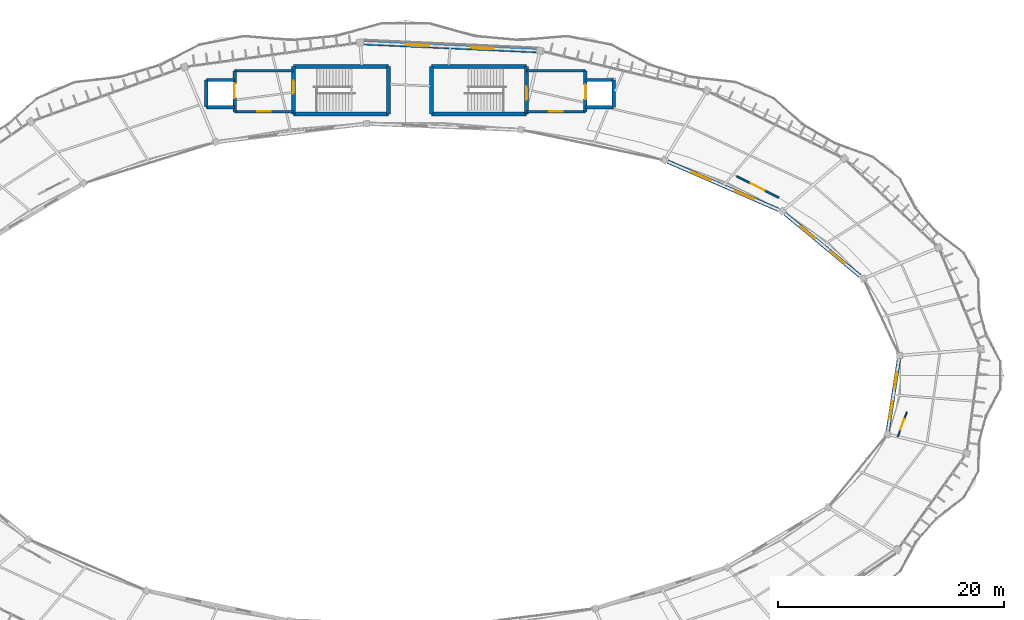
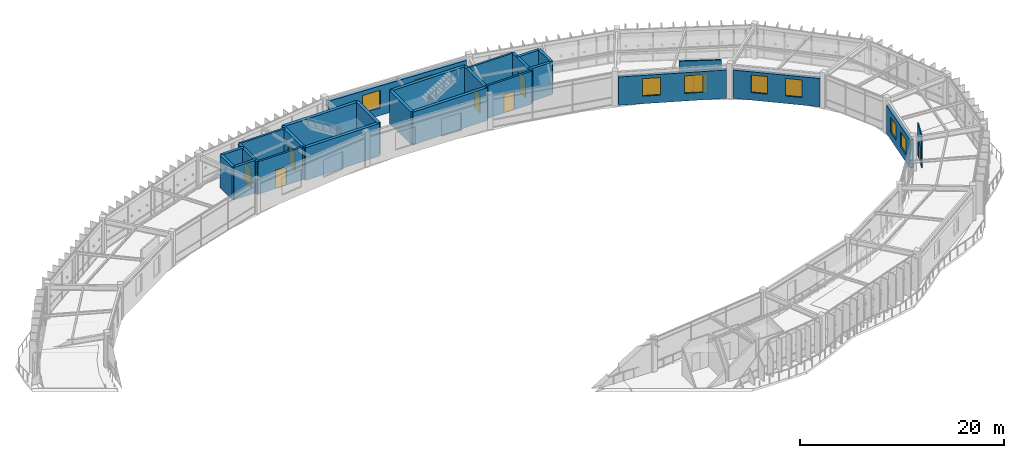
# One storey, part 71 of 83: 26 walls, 8 doors, 8 windows, 16 openings.
"""IFC4 building model written with IfcOpenShell, lengths in metres."""

from ifc_helpers import new_model, si_unit, direction, frame, frame_2d, origin, place, context, subcontext, project, spatial, rectangle, extrude, material, layer, layer_set, type_object, element, fill, save


model = new_model("IFC4")

# Units and contexts
model_context = context("Model", 3, precision=1e-05, world=origin(), true_north=direction((0.0, 1.0)))
body_context = subcontext(model_context, "Body", "Model", "MODEL_VIEW")
ifc_project = project(units=[si_unit("LENGTHUNIT", "METRE"), si_unit("AREAUNIT", "SQUARE_METRE"), si_unit("VOLUMEUNIT", "CUBIC_METRE"), si_unit("PLANEANGLEUNIT", "RADIAN"), si_unit("MASSUNIT", "GRAM", prefix="KILO"), si_unit("THERMODYNAMICTEMPERATUREUNIT", "KELVIN"), si_unit("POWERUNIT", "WATT")], contexts=[model_context])

# Site, building, storey
site_placement = place(None, origin())
site = spatial("IfcSite", under=ifc_project, at=site_placement, CompositionType="ELEMENT")
building_placement = place(site_placement, origin())
building = spatial("IfcBuilding", under=site, at=building_placement, Name="Darbajah Civic Hall", CompositionType="ELEMENT")
storey_placement = place(building_placement, frame((0.0, 0.0, 18.0)))
storey = spatial("IfcBuildingStorey", under=building, at=storey_placement, Name="L04", CompositionType="ELEMENT", Elevation=18.0)

# Wall, opening, door
ifc_material_1 = material(Name="Concrete C45/55", Category="concrete")
ifc_layer_1 = layer(ifc_material_1, 0.300048828125, Name="Concrete C45/55")
ifc_layer_set_1 = layer_set([ifc_layer_1], Name="Concrete C45/55")
wall_type_1 = type_object("IfcWallType", Name="Core Shear Wall 300mm", PredefinedType="SHEAR", material=ifc_layer_set_1)
wall_1_placement = place(storey_placement, frame((74.0, 116.699951171875, 0.0), z_axis=(0.0, 0.0, 1.0), x_axis=(0.0, -1.0, 0.0)))
wall_1 = element("IfcWall", 1, at=wall_1_placement, inside=storey, type_object=wall_type_1, Name="L04 firefighting lobby C01 wall W", PredefinedType="SHEAR", context=body_context, shape_type="SweptSolid", body=[
    extrude(rectangle(XDim=3.599853515625, YDim=0.300048828125, at=frame_2d((1.7998046875, 0.0))), origin(), (0.0, 0.0, 1.0), 3.919921875),
])
opening_1_placement = place(wall_1_placement, frame((1.10009765625, 0.0, 0.0)))
opening_1 = element("IfcOpeningElement", 2, at=opening_1_placement, cuts=wall_1, Name="Opening LD-0019", PredefinedType="OPENING", context=body_context, shape_type="SweptSolid", body=[
    extrude(rectangle(XDim=1.300048828125, YDim=2.300048828125, at=frame_2d((0.64990234375, 1.14990234375))), frame((0.0, 0.159912109375, 0.0), z_axis=(0.0, -1.0, 0.0), x_axis=(1.0, 0.0, 0.0)), (0.0, 0.0, 1.0), 0.320068359375),
])
ifc_material_2 = material(Name="Firefighting Lift Landing Door")
door_type_1 = type_object("IfcDoorType", Name="Lift Landing Door 1300x2300", OperationType="SLIDING_TO_LEFT", PredefinedType="DOOR", material=ifc_material_2)
door_1_placement = place(opening_1_placement, origin())
door_1 = element("IfcDoor", 3, at=door_1_placement, inside=storey, type_object=door_type_1, Name="L04 firefighting lift FL1 landing door LD-0019", OperationType="SLIDING_TO_LEFT", OverallHeight=2.300048828125, OverallWidth=1.300048828125, PredefinedType="DOOR", context=body_context, shape_type="SweptSolid", body=[
    extrude(rectangle(XDim=1.300048828125, YDim=2.300048828125, at=frame_2d((0.64990234375, 1.14990234375))), frame((0.0, 0.02490234375, 0.0), z_axis=(0.0, -1.0, 0.0), x_axis=(1.0, 0.0, 0.0)), (0.0, 0.0, 1.0), 0.050048828125),
])
fill(opening_1, door_1)

# Walls
for number, where, z_axis, x_axis, name in (
    (4, (74.0, 115.89990234375, 0.0), (0.0, 0.0, 1.0), (-1.0, 0.0, 0.0), "L04 lift FL1 shaft wall N"),
    (5, (71.5, 113.5, 0.0), (0.0, 0.0, 1.0), (1.0, 0.0, 0.0), "L04 lift FL1 shaft wall S"),
):
    element("IfcWall", number, at=place(storey_placement, frame(where, z_axis=z_axis, x_axis=x_axis)), inside=storey, type_object=wall_type_1, Name=name, PredefinedType="SHEAR", context=body_context, shape_type="SweptSolid", body=[
        extrude(rectangle(XDim=2.5, YDim=0.300048828125, at=frame_2d((1.25, 0.0))), origin(), (0.0, 0.0, 1.0), 3.919921875),
    ])
wall_2_placement = place(storey_placement, frame((71.5, 115.89990234375, 0.0), z_axis=(0.0, 0.0, 1.0), x_axis=(0.0, -1.0, 0.0)))
element("IfcWall", 6, at=wall_2_placement, inside=storey, type_object=wall_type_1, Name="L04 lift FL1 shaft wall OUT", PredefinedType="SHEAR", context=body_context, shape_type="SweptSolid", body=[
    extrude(rectangle(XDim=2.39990234375, YDim=0.300048828125, at=frame_2d((1.199951171875, 0.0))), origin(), (0.0, 0.0, 1.0), 3.919921875),
])

# Wall, opening, door
wall_3_placement = place(storey_placement, frame((105.0, 113.10009765625, 0.0), z_axis=(0.0, 0.0, 1.0), x_axis=(0.0, 1.0, 0.0)))
wall_3 = element("IfcWall", 7, at=wall_3_placement, inside=storey, type_object=wall_type_1, Name="L04 firefighting lobby C02 wall E", PredefinedType="SHEAR", context=body_context, shape_type="SweptSolid", body=[
    extrude(rectangle(XDim=3.599853515625, YDim=0.300048828125, at=frame_2d((1.7998046875, 0.0))), origin(), (0.0, 0.0, 1.0), 3.919921875),
])
opening_2_placement = place(wall_3_placement, frame((1.10009765625, 0.0, 0.0)))
opening_2 = element("IfcOpeningElement", 8, at=opening_2_placement, cuts=wall_3, Name="Opening LD-0040", PredefinedType="OPENING", context=body_context, shape_type="SweptSolid", body=[
    extrude(rectangle(XDim=1.300048828125, YDim=2.300048828125, at=frame_2d((0.64990234375, 1.14990234375))), frame((0.0, 0.159912109375, 0.0), z_axis=(0.0, -1.0, 0.0), x_axis=(1.0, 0.0, 0.0)), (0.0, 0.0, 1.0), 0.320068359375),
])
door_2_placement = place(opening_2_placement, origin())
door_2 = element("IfcDoor", 9, at=door_2_placement, inside=storey, type_object=door_type_1, Name="L04 firefighting lift FL2 landing door LD-0040", OperationType="SLIDING_TO_LEFT", OverallHeight=2.300048828125, OverallWidth=1.300048828125, PredefinedType="DOOR", context=body_context, shape_type="SweptSolid", body=[
    extrude(rectangle(XDim=1.300048828125, YDim=2.300048828125, at=frame_2d((0.64990234375, 1.14990234375))), frame((0.0, 0.02490234375, 0.0), z_axis=(0.0, -1.0, 0.0), x_axis=(1.0, 0.0, 0.0)), (0.0, 0.0, 1.0), 0.050048828125),
])
fill(opening_2, door_2)

# Walls
for number, where, z_axis, x_axis, name in (
    (10, (107.5, 115.89990234375, 0.0), (0.0, 0.0, 1.0), (-1.0, 0.0, 0.0), "L04 lift FL2 shaft wall N"),
    (11, (105.0, 113.5, 0.0), (0.0, 0.0, 1.0), (1.0, 0.0, 0.0), "L04 lift FL2 shaft wall S"),
):
    element("IfcWall", number, at=place(storey_placement, frame(where, z_axis=z_axis, x_axis=x_axis)), inside=storey, type_object=wall_type_1, Name=name, PredefinedType="SHEAR", context=body_context, shape_type="SweptSolid", body=[
        extrude(rectangle(XDim=2.5, YDim=0.300048828125, at=frame_2d((1.25, 0.0))), origin(), (0.0, 0.0, 1.0), 3.919921875),
    ])
wall_4_placement = place(storey_placement, frame((107.5, 113.5, 0.0), z_axis=(0.0, 0.0, 1.0), x_axis=(0.0, 1.0, 0.0)))
element("IfcWall", 12, at=wall_4_placement, inside=storey, type_object=wall_type_1, Name="L04 lift FL2 shaft wall OUT", PredefinedType="SHEAR", context=body_context, shape_type="SweptSolid", body=[
    extrude(rectangle(XDim=2.39990234375, YDim=0.300048828125, at=frame_2d((1.199951171875, 0.0))), origin(), (0.0, 0.0, 1.0), 3.919921875),
])
ifc_material_3 = material(Name="Concrete C50/60", Category="concrete")
ifc_layer_2 = layer(ifc_material_3, 0.35009765625, Name="Concrete C50/60")
ifc_layer_set_2 = layer_set([ifc_layer_2], Name="Concrete C50/60")
wall_type_2 = type_object("IfcWallType", Name="Core Shear Wall 350mm", PredefinedType="SHEAR", material=ifc_layer_set_2)
wall_5_placement = place(storey_placement, frame((79.199951171875, 112.89990234375, 0.0), z_axis=(0.0, 0.0, 1.0), x_axis=(1.0, 0.0, 0.0)))
element("IfcWall", 13, at=wall_5_placement, inside=storey, type_object=wall_type_2, Name="L04 core C01 shear wall S", PredefinedType="SHEAR", context=body_context, shape_type="SweptSolid", body=[
    extrude(rectangle(XDim=8.400146484375, YDim=0.35009765625, at=frame_2d((4.2001953125, 0.0))), origin(), (0.0, 0.0, 1.0), 3.919921875),
])
wall_6_placement = place(storey_placement, frame((87.60009765625, 112.89990234375, 0.0), z_axis=(0.0, 0.0, 1.0), x_axis=(0.0, 1.0, 0.0)))
element("IfcWall", 14, at=wall_6_placement, inside=storey, type_object=wall_type_2, Name="L04 core C01 shear wall E", PredefinedType="SHEAR", context=body_context, shape_type="SweptSolid", body=[
    extrude(rectangle(XDim=4.2001953125, YDim=0.35009765625, at=frame_2d((2.10009765625, 0.0))), origin(), (0.0, 0.0, 1.0), 3.919921875),
])
wall_7_placement = place(storey_placement, frame((87.60009765625, 117.10009765625, 0.0), z_axis=(0.0, 0.0, 1.0), x_axis=(-1.0, 0.0, 0.0)))
element("IfcWall", 15, at=wall_7_placement, inside=storey, type_object=wall_type_2, Name="L04 core C01 shear wall N", PredefinedType="SHEAR", context=body_context, shape_type="SweptSolid", body=[
    extrude(rectangle(XDim=8.400146484375, YDim=0.35009765625, at=frame_2d((4.2001953125, 0.0))), origin(), (0.0, 0.0, 1.0), 3.919921875),
])

# Wall, opening, door
wall_8_placement = place(storey_placement, frame((79.199951171875, 117.10009765625, 0.0), z_axis=(0.0, 0.0, 1.0), x_axis=(0.0, -1.0, 0.0)))
wall_8 = element("IfcWall", 16, at=wall_8_placement, inside=storey, type_object=wall_type_2, Name="L04 core C01 shear wall W", PredefinedType="SHEAR", context=body_context, shape_type="SweptSolid", body=[
    extrude(rectangle(XDim=4.2001953125, YDim=0.35009765625, at=frame_2d((2.10009765625, 0.0))), origin(), (0.0, 0.0, 1.0), 3.919921875),
])
opening_3_placement = place(wall_8_placement, frame((1.25, 0.0, 0.0)))
opening_3 = element("IfcOpeningElement", 17, at=opening_3_placement, cuts=wall_8, Name="Opening SD-0009", PredefinedType="OPENING", context=body_context, shape_type="SweptSolid", body=[
    extrude(rectangle(XDim=1.14990234375, YDim=2.199951171875, at=frame_2d((0.574951171875, 1.10009765625))), frame((0.0, 0.18505859375, 0.0), z_axis=(0.0, -1.0, 0.0), x_axis=(1.0, 0.0, 0.0)), (0.0, 0.0, 1.0), 0.3701171875),
])
ifc_material_4 = material(Name="Steel Rated Core Door", Category="steel")
door_type_2 = type_object("IfcDoorType", Name="Interior Door 1150x2200", OperationType="NOTDEFINED", PredefinedType="DOOR", material=ifc_material_4)
door_3_placement = place(opening_3_placement, origin())
door_3 = element("IfcDoor", 18, at=door_3_placement, inside=storey, type_object=door_type_2, Name="L04 stair ST01 fire door SD-0009", OperationType="SINGLE_SWING_RIGHT", OverallHeight=2.199951171875, OverallWidth=1.14990234375, PredefinedType="DOOR", context=body_context, shape_type="SweptSolid", body=[
    extrude(rectangle(XDim=1.14990234375, YDim=2.199951171875, at=frame_2d((0.574951171875, 1.10009765625))), frame((0.0, 0.02490234375, 0.0), z_axis=(0.0, -1.0, 0.0), x_axis=(1.0, 0.0, 0.0)), (0.0, 0.0, 1.0), 0.050048828125),
])
fill(opening_3, door_3)

# Wall
wall_9_placement = place(storey_placement, frame((91.39990234375, 112.89990234375, 0.0), z_axis=(0.0, 0.0, 1.0), x_axis=(1.0, 0.0, 0.0)))
element("IfcWall", 19, at=wall_9_placement, inside=storey, type_object=wall_type_2, Name="L04 core C02 shear wall S", PredefinedType="SHEAR", context=body_context, shape_type="SweptSolid", body=[
    extrude(rectangle(XDim=8.400146484375, YDim=0.35009765625, at=frame_2d((4.2001953125, 0.0))), origin(), (0.0, 0.0, 1.0), 3.919921875),
])

# Wall, opening, door
wall_10_placement = place(storey_placement, frame((99.800048828125, 112.89990234375, 0.0), z_axis=(0.0, 0.0, 1.0), x_axis=(0.0, 1.0, 0.0)))
wall_10 = element("IfcWall", 20, at=wall_10_placement, inside=storey, type_object=wall_type_2, Name="L04 core C02 shear wall E", PredefinedType="SHEAR", context=body_context, shape_type="SweptSolid", body=[
    extrude(rectangle(XDim=4.2001953125, YDim=0.35009765625, at=frame_2d((2.10009765625, 0.0))), origin(), (0.0, 0.0, 1.0), 3.919921875),
])
opening_4_placement = place(wall_10_placement, frame((1.25, 0.0, 0.0)))
opening_4 = element("IfcOpeningElement", 21, at=opening_4_placement, cuts=wall_10, Name="Opening SD-0030", PredefinedType="OPENING", context=body_context, shape_type="SweptSolid", body=[
    extrude(rectangle(XDim=1.14990234375, YDim=2.199951171875, at=frame_2d((0.574951171875, 1.10009765625))), frame((0.0, 0.18505859375, 0.0), z_axis=(0.0, -1.0, 0.0), x_axis=(1.0, 0.0, 0.0)), (0.0, 0.0, 1.0), 0.3701171875),
])
door_4_placement = place(opening_4_placement, origin())
door_4 = element("IfcDoor", 22, at=door_4_placement, inside=storey, type_object=door_type_2, Name="L04 stair ST02 fire door SD-0030", OperationType="SINGLE_SWING_LEFT", OverallHeight=2.199951171875, OverallWidth=1.14990234375, PredefinedType="DOOR", context=body_context, shape_type="SweptSolid", body=[
    extrude(rectangle(XDim=1.14990234375, YDim=2.199951171875, at=frame_2d((0.574951171875, 1.10009765625))), frame((0.0, 0.02490234375, 0.0), z_axis=(0.0, -1.0, 0.0), x_axis=(1.0, 0.0, 0.0)), (0.0, 0.0, 1.0), 0.050048828125),
])
fill(opening_4, door_4)

# Walls
wall_11_placement = place(storey_placement, frame((99.800048828125, 117.10009765625, 0.0), z_axis=(0.0, 0.0, 1.0), x_axis=(-1.0, 0.0, 0.0)))
element("IfcWall", 23, at=wall_11_placement, inside=storey, type_object=wall_type_2, Name="L04 core C02 shear wall N", PredefinedType="SHEAR", context=body_context, shape_type="SweptSolid", body=[
    extrude(rectangle(XDim=8.400146484375, YDim=0.35009765625, at=frame_2d((4.2001953125, 0.0))), origin(), (0.0, 0.0, 1.0), 3.919921875),
])
wall_12_placement = place(storey_placement, frame((91.39990234375, 117.10009765625, 0.0), z_axis=(0.0, 0.0, 1.0), x_axis=(0.0, -1.0, 0.0)))
element("IfcWall", 24, at=wall_12_placement, inside=storey, type_object=wall_type_2, Name="L04 core C02 shear wall W", PredefinedType="SHEAR", context=body_context, shape_type="SweptSolid", body=[
    extrude(rectangle(XDim=4.2001953125, YDim=0.35009765625, at=frame_2d((2.10009765625, 0.0))), origin(), (0.0, 0.0, 1.0), 3.919921875),
])

# Wall, openings, windows
ifc_material_5 = material(Name="Qatari Desert Limestone Ashlar", Category="masonry")
ifc_layer_3 = layer(ifc_material_5, 0.340087890625, Name="Qatari Desert Limestone Ashlar")
ifc_layer_set_3 = layer_set([ifc_layer_3], Name="Qatari Desert Limestone Ashlar")
wall_type_3 = type_object("IfcWallType", Name="Exterior Wall 340mm", PredefinedType="SOLIDWALL", material=ifc_layer_set_3)
wall_13_placement = place(storey_placement, frame((129.278564453125, 98.572509765625, 0.0), z_axis=(0.0, 0.0, 1.0), x_axis=(-0.769168087439, 0.639046518859, 0.0)))
wall_13 = element("IfcWall", 25, at=wall_13_placement, inside=storey, type_object=wall_type_3, Name="L04 exterior wall EW-340", PredefinedType="SOLIDWALL", context=body_context, shape_type="SweptSolid", body=[
    extrude(rectangle(XDim=8.61572265625, YDim=0.340087890625, at=frame_2d((4.307861328125, 0.0))), origin(), (0.0, 0.0, 1.0), 3.386962890625),
])
opening_5_placement = place(wall_13_placement, frame((1.77197265625, 0.0, 0.89990234375)))
opening_5 = element("IfcOpeningElement", 26, at=opening_5_placement, cuts=wall_13, Name="Opening WN-04", PredefinedType="OPENING", context=body_context, shape_type="SweptSolid", body=[
    extrude(rectangle(XDim=1.64990234375, YDim=2.10009765625, at=frame_2d((0.824951171875, 1.050048828125))), frame((0.0, 0.179931640625, 0.0), z_axis=(0.0, -1.0, 0.0), x_axis=(1.0, 0.0, 0.0)), (0.0, 0.0, 1.0), 0.360107421875),
])
opening_6_placement = place(wall_13_placement, frame((5.19384765625, 0.0, 0.89990234375)))
opening_6 = element("IfcOpeningElement", 27, at=opening_6_placement, cuts=wall_13, Name="Opening WN-04", PredefinedType="OPENING", context=body_context, shape_type="SweptSolid", body=[
    extrude(rectangle(XDim=1.64990234375, YDim=2.10009765625, at=frame_2d((0.824951171875, 1.050048828125))), frame((0.0, 0.179931640625, 0.0), z_axis=(0.0, -1.0, 0.0), x_axis=(1.0, 0.0, 0.0)), (0.0, 0.0, 1.0), 0.360107421875),
])
ifc_material_6 = material(Name="Low-E Solar Control Double Glazing", Category="glass")
window_type_1 = type_object("IfcWindowType", Name="Facade Window 1650x2100", PartitioningType="DOUBLE_PANEL_VERTICAL", PredefinedType="WINDOW", material=ifc_material_6)
window_1_placement = place(opening_5_placement, origin())
window_1 = element("IfcWindow", 28, at=window_1_placement, inside=storey, type_object=window_type_1, Name="L04 facade window WN-04", OverallHeight=2.10009765625, OverallWidth=1.64990234375, PartitioningType="SINGLE_PANEL", PredefinedType="WINDOW", context=body_context, shape_type="SweptSolid", body=[
    extrude(rectangle(XDim=1.64990234375, YDim=2.10009765625, at=frame_2d((0.824951171875, 1.050048828125))), frame((0.0, 0.030029296875, 0.0), z_axis=(0.0, -1.0, 0.0), x_axis=(1.0, 0.0, 0.0)), (0.0, 0.0, 1.0), 0.06005859375),
])
fill(opening_5, window_1)
window_2_placement = place(opening_6_placement, origin())
window_2 = element("IfcWindow", 29, at=window_2_placement, inside=storey, type_object=window_type_1, Name="L04 facade window WN-04", OverallHeight=2.10009765625, OverallWidth=1.64990234375, PartitioningType="SINGLE_PANEL", PredefinedType="WINDOW", context=body_context, shape_type="SweptSolid", body=[
    extrude(rectangle(XDim=1.64990234375, YDim=2.10009765625, at=frame_2d((0.824951171875, 1.050048828125))), frame((0.0, 0.030029296875, 0.0), z_axis=(0.0, -1.0, 0.0), x_axis=(1.0, 0.0, 0.0)), (0.0, 0.0, 1.0), 0.06005859375),
])
fill(opening_6, window_2)

wall_14_placement = place(storey_placement, frame((122.06689453125, 104.43017578125, 0.0), z_axis=(0.0, 0.0, 1.0), x_axis=(-0.917053702139, 0.398763723767, 0.0)))
wall_14 = element("IfcWall", 30, at=wall_14_placement, inside=storey, type_object=wall_type_3, Name="L04 exterior wall EW-340", PredefinedType="SOLIDWALL", context=body_context, shape_type="SweptSolid", body=[
    extrude(rectangle(XDim=10.6806640625, YDim=0.340087890625, at=frame_2d((5.34033203125, 0.0))), origin(), (0.0, 0.0, 1.0), 3.386962890625),
])
opening_7_placement = place(wall_14_placement, frame((2.360107421875, 0.0, 0.89990234375)))
opening_7 = element("IfcOpeningElement", 31, at=opening_7_placement, cuts=wall_14, Name="Opening WN-05", PredefinedType="OPENING", context=body_context, shape_type="SweptSolid", body=[
    extrude(rectangle(XDim=1.800048828125, YDim=2.10009765625, at=frame_2d((0.89990234375, 1.050048828125))), frame((0.0, 0.179931640625, 0.0), z_axis=(0.0, -1.0, 0.0), x_axis=(1.0, 0.0, 0.0)), (0.0, 0.0, 1.0), 0.360107421875),
])
opening_8_placement = place(wall_14_placement, frame((6.5205078125, 0.0, 0.89990234375)))
opening_8 = element("IfcOpeningElement", 32, at=opening_8_placement, cuts=wall_14, Name="Opening WN-05", PredefinedType="OPENING", context=body_context, shape_type="SweptSolid", body=[
    extrude(rectangle(XDim=1.800048828125, YDim=2.10009765625, at=frame_2d((0.89990234375, 1.050048828125))), frame((0.0, 0.179931640625, 0.0), z_axis=(0.0, -1.0, 0.0), x_axis=(1.0, 0.0, 0.0)), (0.0, 0.0, 1.0), 0.360107421875),
])
window_type_2 = type_object("IfcWindowType", Name="Facade Window 1800x2100", PartitioningType="DOUBLE_PANEL_VERTICAL", PredefinedType="WINDOW", material=ifc_material_6)
window_3_placement = place(opening_7_placement, origin())
window_3 = element("IfcWindow", 33, at=window_3_placement, inside=storey, type_object=window_type_2, Name="L04 facade window WN-05", OverallHeight=2.10009765625, OverallWidth=1.800048828125, PartitioningType="SINGLE_PANEL", PredefinedType="WINDOW", context=body_context, shape_type="SweptSolid", body=[
    extrude(rectangle(XDim=1.800048828125, YDim=2.10009765625, at=frame_2d((0.89990234375, 1.050048828125))), frame((0.0, 0.030029296875, 0.0), z_axis=(0.0, -1.0, 0.0), x_axis=(1.0, 0.0, 0.0)), (0.0, 0.0, 1.0), 0.06005859375),
])
fill(opening_7, window_3)
window_4_placement = place(opening_8_placement, origin())
window_4 = element("IfcWindow", 34, at=window_4_placement, inside=storey, type_object=window_type_2, Name="L04 facade window WN-05", OverallHeight=2.10009765625, OverallWidth=1.800048828125, PartitioningType="SINGLE_PANEL", PredefinedType="WINDOW", context=body_context, shape_type="SweptSolid", body=[
    extrude(rectangle(XDim=1.800048828125, YDim=2.10009765625, at=frame_2d((0.89990234375, 1.050048828125))), frame((0.0, 0.030029296875, 0.0), z_axis=(0.0, -1.0, 0.0), x_axis=(1.0, 0.0, 0.0)), (0.0, 0.0, 1.0), 0.06005859375),
])
fill(opening_8, window_4)

wall_15_placement = place(storey_placement, frame((131.7353515625, 84.889404296875, 0.0), z_axis=(0.0, 0.0, 1.0), x_axis=(0.152775913818, 0.988260856332, 0.0)))
wall_15 = element("IfcWall", 35, at=wall_15_placement, inside=storey, type_object=wall_type_3, Name="L04 exterior wall EW-340", PredefinedType="SOLIDWALL", context=body_context, shape_type="SweptSolid", body=[
    extrude(rectangle(XDim=6.406494140625, YDim=0.340087890625, at=frame_2d((3.203125, 0.0))), origin(), (0.0, 0.0, 1.0), 3.386962890625),
])
opening_9_placement = place(wall_15_placement, frame((1.135498046875, 0.0, 0.89990234375)))
opening_9 = element("IfcOpeningElement", 36, at=opening_9_placement, cuts=wall_15, Name="Opening WN-19", PredefinedType="OPENING", context=body_context, shape_type="SweptSolid", body=[
    extrude(rectangle(XDim=1.5, YDim=1.800048828125, at=frame_2d((0.75, 0.89990234375))), frame((0.0, 0.179931640625, 0.0), z_axis=(0.0, -1.0, 0.0), x_axis=(1.0, 0.0, 0.0)), (0.0, 0.0, 1.0), 0.360107421875),
])
opening_10_placement = place(wall_15_placement, frame((3.77099609375, 0.0, 0.89990234375)))
opening_10 = element("IfcOpeningElement", 37, at=opening_10_placement, cuts=wall_15, Name="Opening WN-19", PredefinedType="OPENING", context=body_context, shape_type="SweptSolid", body=[
    extrude(rectangle(XDim=1.5, YDim=1.800048828125, at=frame_2d((0.75, 0.89990234375))), frame((0.0, 0.179931640625, 0.0), z_axis=(0.0, -1.0, 0.0), x_axis=(1.0, 0.0, 0.0)), (0.0, 0.0, 1.0), 0.360107421875),
])
window_type_3 = type_object("IfcWindowType", Name="Facade Window 1500x1800", PartitioningType="SINGLE_PANEL", PredefinedType="WINDOW", material=ifc_material_6)
window_5_placement = place(opening_9_placement, origin())
window_5 = element("IfcWindow", 38, at=window_5_placement, inside=storey, type_object=window_type_3, Name="L04 facade window WN-19", OverallHeight=1.800048828125, OverallWidth=1.5, PartitioningType="SINGLE_PANEL", PredefinedType="WINDOW", context=body_context, shape_type="SweptSolid", body=[
    extrude(rectangle(XDim=1.5, YDim=1.800048828125, at=frame_2d((0.75, 0.89990234375))), frame((0.0, 0.030029296875, 0.0), z_axis=(0.0, -1.0, 0.0), x_axis=(1.0, 0.0, 0.0)), (0.0, 0.0, 1.0), 0.06005859375),
])
fill(opening_9, window_5)
window_6_placement = place(opening_10_placement, origin())
window_6 = element("IfcWindow", 39, at=window_6_placement, inside=storey, type_object=window_type_3, Name="L04 facade window WN-19", OverallHeight=1.800048828125, OverallWidth=1.5, PartitioningType="SINGLE_PANEL", PredefinedType="WINDOW", context=body_context, shape_type="SweptSolid", body=[
    extrude(rectangle(XDim=1.5, YDim=1.800048828125, at=frame_2d((0.75, 0.89990234375))), frame((0.0, 0.030029296875, 0.0), z_axis=(0.0, -1.0, 0.0), x_axis=(1.0, 0.0, 0.0)), (0.0, 0.0, 1.0), 0.06005859375),
])
fill(opening_10, window_6)

ifc_layer_4 = layer(ifc_material_5, 0.419921875, Name="Qatari Desert Limestone Ashlar")
ifc_layer_set_4 = layer_set([ifc_layer_4], Name="Qatari Desert Limestone Ashlar")
wall_type_4 = type_object("IfcWallType", Name="Exterior Wall 420mm", PredefinedType="SOLIDWALL", material=ifc_layer_set_4)
wall_16_placement = place(storey_placement, frame((100.65283203125, 118.5009765625, 0.0), z_axis=(0.0, 0.0, 1.0), x_axis=(-0.998965100734, 0.045483266314, 0.0)))
wall_16 = element("IfcWall", 40, at=wall_16_placement, inside=storey, type_object=wall_type_4, Name="L04 exterior wall EW-420", PredefinedType="SOLIDWALL", context=body_context, shape_type="SweptSolid", body=[
    extrude(rectangle(XDim=15.233642578125, YDim=0.419921875, at=frame_2d((7.61669921875, 0.0))), origin(), (0.0, 0.0, 1.0), 3.52001953125),
])
opening_11_placement = place(wall_16_placement, frame((3.744384765625, 0.0, 0.89990234375)))
opening_11 = element("IfcOpeningElement", 41, at=opening_11_placement, cuts=wall_16, Name="Opening WN-06", PredefinedType="OPENING", context=body_context, shape_type="SweptSolid", body=[
    extrude(rectangle(XDim=2.0, YDim=2.10009765625, at=frame_2d((1.0, 1.050048828125))), frame((0.0, 0.219970703125, 0.0), z_axis=(0.0, -1.0, 0.0), x_axis=(1.0, 0.0, 0.0)), (0.0, 0.0, 1.0), 0.43994140625),
])
opening_12_placement = place(wall_16_placement, frame((9.489013671875, 0.0, 0.89990234375)))
opening_12 = element("IfcOpeningElement", 42, at=opening_12_placement, cuts=wall_16, Name="Opening WN-06", PredefinedType="OPENING", context=body_context, shape_type="SweptSolid", body=[
    extrude(rectangle(XDim=2.0, YDim=2.10009765625, at=frame_2d((1.0, 1.050048828125))), frame((0.0, 0.219970703125, 0.0), z_axis=(0.0, -1.0, 0.0), x_axis=(1.0, 0.0, 0.0)), (0.0, 0.0, 1.0), 0.43994140625),
])
window_type_4 = type_object("IfcWindowType", Name="Facade Window 2000x2100", PartitioningType="DOUBLE_PANEL_VERTICAL", PredefinedType="WINDOW", material=ifc_material_6)
window_7_placement = place(opening_11_placement, origin())
window_7 = element("IfcWindow", 43, at=window_7_placement, inside=storey, type_object=window_type_4, Name="L04 facade window WN-06", OverallHeight=2.10009765625, OverallWidth=2.0, PartitioningType="SINGLE_PANEL", PredefinedType="WINDOW", context=body_context, shape_type="SweptSolid", body=[
    extrude(rectangle(XDim=2.0, YDim=2.10009765625, at=frame_2d((1.0, 1.050048828125))), frame((0.0, 0.030029296875, 0.0), z_axis=(0.0, -1.0, 0.0), x_axis=(1.0, 0.0, 0.0)), (0.0, 0.0, 1.0), 0.06005859375),
])
fill(opening_11, window_7)
window_8_placement = place(opening_12_placement, origin())
window_8 = element("IfcWindow", 44, at=window_8_placement, inside=storey, type_object=window_type_4, Name="L04 facade window WN-06", OverallHeight=2.10009765625, OverallWidth=2.0, PartitioningType="SINGLE_PANEL", PredefinedType="WINDOW", context=body_context, shape_type="SweptSolid", body=[
    extrude(rectangle(XDim=2.0, YDim=2.10009765625, at=frame_2d((1.0, 1.050048828125))), frame((0.0, 0.030029296875, 0.0), z_axis=(0.0, -1.0, 0.0), x_axis=(1.0, 0.0, 0.0)), (0.0, 0.0, 1.0), 0.06005859375),
])
fill(opening_12, window_8)

# Wall, opening, door
ifc_layer_5 = layer(ifc_material_1, 0.219970703125, Name="Concrete C45/55")
ifc_layer_set_5 = layer_set([ifc_layer_5], Name="Concrete C45/55")
wall_type_5 = type_object("IfcWallType", Name="Firefighting Shaft Wall 220mm", PredefinedType="SOLIDWALL", material=ifc_layer_set_5)
wall_17_placement = place(storey_placement, frame((74.0, 113.10009765625, 0.0), z_axis=(0.0, 0.0, 1.0), x_axis=(1.0, 0.0, 0.0)))
wall_17 = element("IfcWall", 45, at=wall_17_placement, inside=storey, type_object=wall_type_5, Name="L04 firefighting lobby C01 wall S", PredefinedType="SOLIDWALL", context=body_context, shape_type="SweptSolid", body=[
    extrude(rectangle(XDim=5.199951171875, YDim=0.219970703125, at=frame_2d((2.60009765625, 0.0))), origin(), (0.0, 0.0, 1.0), 3.919921875),
])
opening_13_placement = place(wall_17_placement, frame((2.0, 0.0, 0.0)))
opening_13 = element("IfcOpeningElement", 46, at=opening_13_placement, cuts=wall_17, Name="Opening FD-0010", PredefinedType="OPENING", context=body_context, shape_type="SweptSolid", body=[
    extrude(rectangle(XDim=1.199951171875, YDim=2.199951171875, at=frame_2d((0.60009765625, 1.10009765625))), frame((0.0, 0.119873046875, 0.0), z_axis=(0.0, -1.0, 0.0), x_axis=(1.0, 0.0, 0.0)), (0.0, 0.0, 1.0), 0.239990234375),
])
ifc_material_7 = material(Name="Painted Hardwood Fire Door", Category="wood")
door_type_3 = type_object("IfcDoorType", Name="Interior Door 1200x2200", OperationType="NOTDEFINED", PredefinedType="DOOR", material=ifc_material_7)
door_5_placement = place(opening_13_placement, origin())
door_5 = element("IfcDoor", 47, at=door_5_placement, inside=storey, type_object=door_type_3, Name="L04 firefighting lobby C01 entrance door FD-0010", OperationType="SINGLE_SWING_LEFT", OverallHeight=2.199951171875, OverallWidth=1.199951171875, PredefinedType="DOOR", context=body_context, shape_type="SweptSolid", body=[
    extrude(rectangle(XDim=1.199951171875, YDim=2.199951171875, at=frame_2d((0.60009765625, 1.10009765625))), frame((0.0, 0.02490234375, 0.0), z_axis=(0.0, -1.0, 0.0), x_axis=(1.0, 0.0, 0.0)), (0.0, 0.0, 1.0), 0.050048828125),
])
fill(opening_13, door_5)

# Wall
wall_18_placement = place(storey_placement, frame((79.199951171875, 116.699951171875, 0.0), z_axis=(0.0, 0.0, 1.0), x_axis=(-1.0, 0.0, 0.0)))
element("IfcWall", 48, at=wall_18_placement, inside=storey, type_object=wall_type_5, Name="L04 firefighting lobby C01 wall N", PredefinedType="SOLIDWALL", context=body_context, shape_type="SweptSolid", body=[
    extrude(rectangle(XDim=5.199951171875, YDim=0.219970703125, at=frame_2d((2.60009765625, 0.0))), origin(), (0.0, 0.0, 1.0), 3.919921875),
])

# Wall, opening, door
wall_19_placement = place(storey_placement, frame((99.800048828125, 113.10009765625, 0.0), z_axis=(0.0, 0.0, 1.0), x_axis=(1.0, 0.0, 0.0)))
wall_19 = element("IfcWall", 49, at=wall_19_placement, inside=storey, type_object=wall_type_5, Name="L04 firefighting lobby C02 wall S", PredefinedType="SOLIDWALL", context=body_context, shape_type="SweptSolid", body=[
    extrude(rectangle(XDim=5.199951171875, YDim=0.219970703125, at=frame_2d((2.60009765625, 0.0))), origin(), (0.0, 0.0, 1.0), 3.919921875),
])
opening_14_placement = place(wall_19_placement, frame((2.0, 0.0, 0.0)))
opening_14 = element("IfcOpeningElement", 50, at=opening_14_placement, cuts=wall_19, Name="Opening FD-0031", PredefinedType="OPENING", context=body_context, shape_type="SweptSolid", body=[
    extrude(rectangle(XDim=1.199951171875, YDim=2.199951171875, at=frame_2d((0.60009765625, 1.10009765625))), frame((0.0, 0.119873046875, 0.0), z_axis=(0.0, -1.0, 0.0), x_axis=(1.0, 0.0, 0.0)), (0.0, 0.0, 1.0), 0.239990234375),
])
door_6_placement = place(opening_14_placement, origin())
door_6 = element("IfcDoor", 51, at=door_6_placement, inside=storey, type_object=door_type_3, Name="L04 firefighting lobby C02 entrance door FD-0031", OperationType="SINGLE_SWING_RIGHT", OverallHeight=2.199951171875, OverallWidth=1.199951171875, PredefinedType="DOOR", context=body_context, shape_type="SweptSolid", body=[
    extrude(rectangle(XDim=1.199951171875, YDim=2.199951171875, at=frame_2d((0.60009765625, 1.10009765625))), frame((0.0, 0.02490234375, 0.0), z_axis=(0.0, -1.0, 0.0), x_axis=(1.0, 0.0, 0.0)), (0.0, 0.0, 1.0), 0.050048828125),
])
fill(opening_14, door_6)

# Wall
wall_20_placement = place(storey_placement, frame((105.0, 116.699951171875, 0.0), z_axis=(0.0, 0.0, 1.0), x_axis=(-1.0, 0.0, 0.0)))
element("IfcWall", 52, at=wall_20_placement, inside=storey, type_object=wall_type_5, Name="L04 firefighting lobby C02 wall N", PredefinedType="SOLIDWALL", context=body_context, shape_type="SweptSolid", body=[
    extrude(rectangle(XDim=5.199951171875, YDim=0.219970703125, at=frame_2d((2.60009765625, 0.0))), origin(), (0.0, 0.0, 1.0), 3.919921875),
])

# Wall, opening, door
ifc_material_8 = material(Name="Acoustic Gypsum Partition")
ifc_layer_6 = layer(ifc_material_8, 0.114990234375, Name="Acoustic Gypsum Partition")
ifc_layer_set_6 = layer_set([ifc_layer_6], Name="Acoustic Gypsum Partition")
wall_type_6 = type_object("IfcWallType", Name="Interior Partition 115mm", PredefinedType="PARTITIONING", material=ifc_layer_set_6)
wall_21_placement = place(storey_placement, frame((133.41455078125, 86.564208984375, 0.0), z_axis=(0.0, 0.0, 1.0), x_axis=(-0.343246199186, -0.939245466715, 0.0)))
wall_21 = element("IfcWall", 53, at=wall_21_placement, inside=storey, type_object=wall_type_6, Name="L04 interior partition L04-V1-02", PredefinedType="PARTITIONING", context=body_context, shape_type="SweptSolid", body=[
    extrude(rectangle(XDim=2.333740234375, YDim=0.114990234375, at=frame_2d((1.1669921875, 0.0))), origin(), (0.0, 0.0, 1.0), 3.860107421875),
])
opening_15_placement = place(wall_21_placement, frame((0.666748046875, 0.0, 0.0)))
opening_15 = element("IfcOpeningElement", 54, at=opening_15_placement, cuts=wall_21, Name="Opening D-0244", PredefinedType="OPENING", context=body_context, shape_type="SweptSolid", body=[
    extrude(rectangle(XDim=1.0, YDim=2.10009765625, at=frame_2d((0.5, 1.050048828125))), frame((0.0, 0.0673828125, 0.0), z_axis=(0.0, -1.0, 0.0), x_axis=(1.0, 0.0, 0.0)), (0.0, 0.0, 1.0), 0.135009765625),
])
ifc_material_9 = material(Name="Oak Suite Door")
door_type_4 = type_object("IfcDoorType", Name="Interior Door 1000x2100", OperationType="NOTDEFINED", PredefinedType="DOOR", material=ifc_material_9)
door_7_placement = place(opening_15_placement, origin())
door_7 = element("IfcDoor", 55, at=door_7_placement, inside=storey, type_object=door_type_4, Name="L04 L04-V1-02 door D-0244", OperationType="SINGLE_SWING_LEFT", OverallHeight=2.10009765625, OverallWidth=1.0, PredefinedType="DOOR", context=body_context, shape_type="SweptSolid", body=[
    extrude(rectangle(XDim=1.0, YDim=2.10009765625, at=frame_2d((0.5, 1.050048828125))), frame((0.0, 0.02490234375, 0.0), z_axis=(0.0, -1.0, 0.0), x_axis=(1.0, 0.0, 0.0)), (0.0, 0.0, 1.0), 0.050048828125),
])
fill(opening_15, door_7)

ifc_material_10 = material(Name="Gypsum Plasterboard on Steel Stud", Category="steel")
ifc_layer_7 = layer(ifc_material_10, 0.159912109375, Name="Gypsum Plasterboard on Steel Stud")
ifc_layer_set_7 = layer_set([ifc_layer_7], Name="Gypsum Plasterboard on Steel Stud")
wall_type_7 = type_object("IfcWallType", Name="Interior Partition 160mm", PredefinedType="PARTITIONING", material=ifc_layer_set_7)
wall_22_placement = place(storey_placement, frame((122.09326171875, 105.507568359375, 0.0), z_axis=(0.0, 0.0, 1.0), x_axis=(-0.892645317594, 0.450759733093, 0.0)))
wall_22 = element("IfcWall", 56, at=wall_22_placement, inside=storey, type_object=wall_type_7, Name="L04 interior partition L04-V1-03", PredefinedType="PARTITIONING", context=body_context, shape_type="SweptSolid", body=[
    extrude(rectangle(XDim=4.154296875, YDim=0.159912109375, at=frame_2d((2.0771484375, 0.0))), origin(), (0.0, 0.0, 1.0), 3.860107421875),
])
opening_16_placement = place(wall_22_placement, frame((1.377197265625, 0.0, 0.0)))
opening_16 = element("IfcOpeningElement", 57, at=opening_16_placement, cuts=wall_22, Name="Opening D-0245", PredefinedType="OPENING", context=body_context, shape_type="SweptSolid", body=[
    extrude(rectangle(XDim=1.39990234375, YDim=2.25, at=frame_2d((0.699951171875, 1.125))), frame((0.0, 0.08984375, 0.0), z_axis=(0.0, -1.0, 0.0), x_axis=(1.0, 0.0, 0.0)), (0.0, 0.0, 1.0), 0.179931640625),
])
door_type_5 = type_object("IfcDoorType", Name="Interior Door 1400x2250", OperationType="NOTDEFINED", PredefinedType="DOOR", material=ifc_material_7)
door_8_placement = place(opening_16_placement, origin())
door_8 = element("IfcDoor", 58, at=door_8_placement, inside=storey, type_object=door_type_5, Name="L04 L04-V1-03 door D-0245", OperationType="SINGLE_SWING_RIGHT", OverallHeight=2.25, OverallWidth=1.39990234375, PredefinedType="DOOR", context=body_context, shape_type="SweptSolid", body=[
    extrude(rectangle(XDim=1.39990234375, YDim=2.25, at=frame_2d((0.699951171875, 1.125))), frame((0.0, 0.02490234375, 0.0), z_axis=(0.0, -1.0, 0.0), x_axis=(1.0, 0.0, 0.0)), (0.0, 0.0, 1.0), 0.050048828125),
])
fill(opening_16, door_8)

save(model, "model.ifc")
